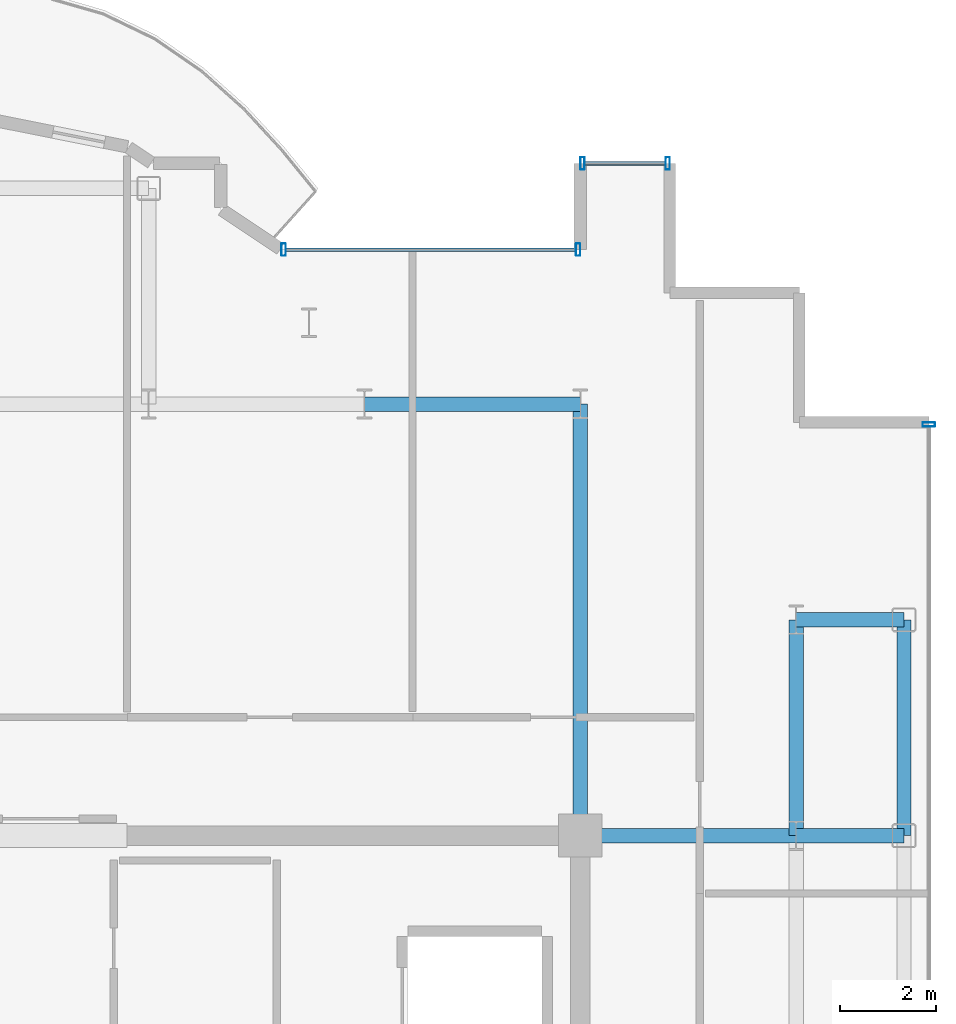
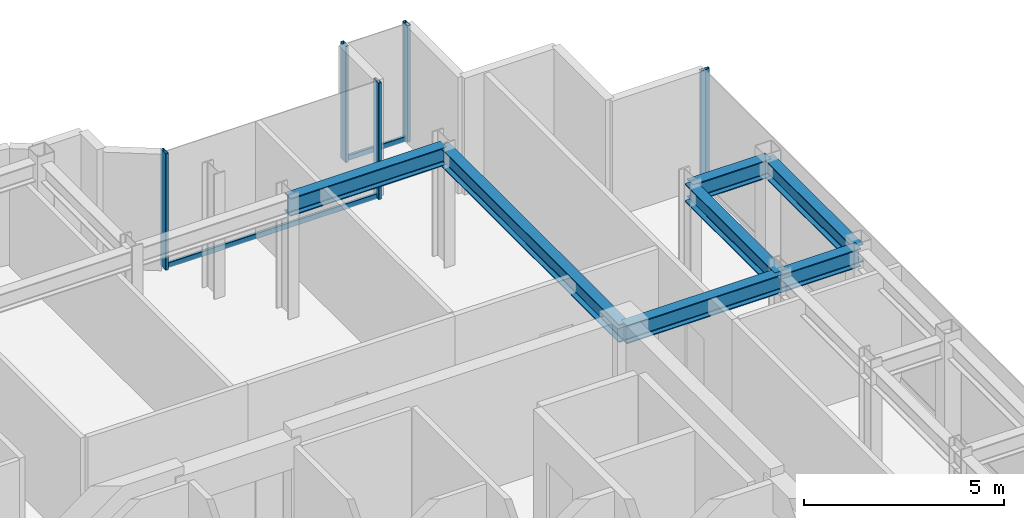
# One storey, part 11 of 18: 7 beams, 7 members, 3 elements without a shape of their own.
"""IFC4 building model written with IfcOpenShell, lengths in metres."""

from ifc_helpers import new_model, si_unit, direction, frame, origin, origin_2d, place, context, subcontext, project, spatial, hollow_rectangle, i_section, extrude, source, transform, mapped, material, layer, layer_set, material_profile, profile_set, type_object, element, aggregate, save


model = new_model("IFC4")

# Units and contexts
model_context = context("Model", 3, precision=1e-05, world=origin(), true_north=direction((0.0, 1.0)))
body_context = subcontext(model_context, "Body", "Model", "MODEL_VIEW")
ifc_project = project(units=[si_unit("LENGTHUNIT", "METRE"), si_unit("AREAUNIT", "SQUARE_METRE"), si_unit("VOLUMEUNIT", "CUBIC_METRE"), si_unit("PLANEANGLEUNIT", "RADIAN"), si_unit("MASSUNIT", "GRAM", prefix="KILO")], contexts=[model_context])

# Site, building, storey
site_placement = place(None, origin())
site = spatial("IfcSite", under=ifc_project, at=site_placement, CompositionType="ELEMENT")
building_placement = place(site_placement, origin())
building = spatial("IfcBuilding", under=site, at=building_placement, Name="Nefas-Gora Pilgrimage Tower", CompositionType="ELEMENT")
storey_placement = place(building_placement, frame((0.0, 0.0, 330.0)))
storey = spatial("IfcBuildingStorey", under=building, at=storey_placement, Name="L83", CompositionType="ELEMENT", Elevation=330.0)

# Beams
ifc_material_1 = material(Name="Steel S355", Category="steel")
ifc_material_profile_1 = material_profile(ifc_material_1, i_section(OverallWidth=0.300048828125, OverallDepth=0.550048828125, WebThickness=0.014892578125, FlangeThickness=0.029052734375, FilletRadius=0.027099609375, at=origin_2d()), Name="HEB 550")
ifc_profile_set_1 = profile_set([ifc_material_profile_1], Name="Steel S355")
beam_type_1 = type_object("IfcBeamType", Name="BM-SPN-HEB400", PredefinedType="SPANDREL", material=ifc_profile_set_1)
shared_shape_1 = source(origin(), body_context, "Body", "SweptSolid", [
    extrude(i_section(OverallWidth=0.300048828125, OverallDepth=0.550048828125, WebThickness=0.014892578125, FlangeThickness=0.029052734375, FilletRadius=0.027099609375, at=origin_2d()), origin(), (0.0, 0.0, 1.0), 4.5),
])
beam_1_placement = place(storey_placement, frame((18.0, 9.0, 3.27490234375), z_axis=(0.0, 1.0, 0.0), x_axis=(-1.0, 0.0, 0.0)))
element("IfcBeam", 1, at=beam_1_placement, inside=storey, type_object=beam_type_1, Name="L83 SP-04 beam", PredefinedType="SPANDREL", context=body_context, shape_type="MappedRepresentation", body=[
    mapped(shared_shape_1, transform((0.0, 0.0, 0.0), x_axis=(1.0, 0.0, 0.0), y_axis=(0.0, 1.0, 0.0), z_axis=(0.0, 0.0, 1.0), scale=1.0)),
])
ifc_material_profile_2 = material_profile(ifc_material_1, i_section(OverallWidth=0.300048828125, OverallDepth=0.550048828125, WebThickness=0.014892578125, FlangeThickness=0.029052734375, FilletRadius=0.027099609375, at=origin_2d()), Name="HEB 550")
ifc_profile_set_2 = profile_set([ifc_material_profile_2], Name="Steel S355")
beam_type_2 = type_object("IfcBeamType", Name="BM-GIR-HEB550", PredefinedType="BEAM", material=ifc_profile_set_2)
shared_shape_2 = source(origin(), body_context, "Body", "SweptSolid", [
    extrude(i_section(OverallWidth=0.300048828125, OverallDepth=0.550048828125, WebThickness=0.014892578125, FlangeThickness=0.029052734375, FilletRadius=0.027099609375, at=origin_2d()), origin(), (0.0, 0.0, 1.0), 9.0),
])
beam_2_placement = place(storey_placement, frame((11.25, 9.0, 3.27490234375), z_axis=(0.0, 1.0, 0.0), x_axis=(-1.0, 0.0, 0.0)))
element("IfcBeam", 2, at=beam_2_placement, inside=storey, type_object=beam_type_2, Name="L83 G-05 beam", PredefinedType="BEAM", context=body_context, shape_type="MappedRepresentation", body=[
    mapped(shared_shape_2, transform((0.0, 0.0, 0.0), x_axis=(1.0, 0.0, 0.0), y_axis=(0.0, 1.0, 0.0), z_axis=(0.0, 0.0, 1.0), scale=1.0)),
])
shared_shape_3 = source(origin(), body_context, "Body", "SweptSolid", [
    extrude(i_section(OverallWidth=0.300048828125, OverallDepth=0.550048828125, WebThickness=0.014892578125, FlangeThickness=0.029052734375, FilletRadius=0.027099609375, at=origin_2d()), origin(), (0.0, 0.0, 1.0), 4.5),
])
for number, where, z_axis, x_axis, name in (
    (3, (6.75, 18.0, 3.27490234375), (1.0, 0.0, 0.0), (0.0, 1.0, 0.0), "L83 G-05 beam"),
    (4, (11.25, 9.0, 3.27490234375), (1.0, 0.0, 0.0), (0.0, 1.0, 0.0), "L83 G-05 beam"),
    (5, (15.75, 9.0, 3.27490234375), (0.0, 1.0, 0.0), (-1.0, 0.0, 0.0), "L83 G-05 beam"),
):
    element("IfcBeam", number, at=place(storey_placement, frame(where, z_axis=z_axis, x_axis=x_axis)), inside=storey, type_object=beam_type_2, Name=name, PredefinedType="BEAM", context=body_context, shape_type="MappedRepresentation", body=[
        mapped(shared_shape_3, transform((0.0, 0.0, 0.0), x_axis=(1.0, 0.0, 0.0), y_axis=(0.0, 1.0, 0.0), z_axis=(0.0, 0.0, 1.0), scale=1.0)),
    ])
shared_shape_4 = source(origin(), body_context, "Body", "SweptSolid", [
    extrude(i_section(OverallWidth=0.300048828125, OverallDepth=0.550048828125, WebThickness=0.014892578125, FlangeThickness=0.029052734375, FilletRadius=0.027099609375, at=origin_2d()), origin(), (0.0, 0.0, 1.0), 2.25),
])
for number, where, z_axis, x_axis, name in (
    (6, (15.75, 9.0, 3.27490234375), (1.0, 0.0, 0.0), (0.0, 1.0, 0.0), "L83 G-05 beam"),
    (7, (15.75, 13.5, 3.27490234375), (1.0, 0.0, 0.0), (0.0, 1.0, 0.0), "L83 G-05 beam"),
):
    element("IfcBeam", number, at=place(storey_placement, frame(where, z_axis=z_axis, x_axis=x_axis)), inside=storey, type_object=beam_type_2, Name=name, PredefinedType="BEAM", context=body_context, shape_type="MappedRepresentation", body=[
        mapped(shared_shape_4, transform((0.0, 0.0, 0.0), x_axis=(1.0, 0.0, 0.0), y_axis=(0.0, 1.0, 0.0), z_axis=(0.0, 0.0, 1.0), scale=1.0)),
    ])

# Curtain wall, members
ifc_material_2 = material(Name="Dark ceramic-fritted solar-control aluminium-glass curtain wall", Category="aluminium")
ifc_layer_1 = layer(ifc_material_2, 0.219970703125)
ifc_layer_set_1 = layer_set([ifc_layer_1], Name="Dark ceramic-fritted solar-control aluminium-glass curtain wall")
curtain_wall_type_1 = type_object("IfcCurtainWallType", Name="CW-SYS-5", PredefinedType="NOTDEFINED", material=ifc_layer_set_1)
curtain_wall_1_placement = place(storey_placement, origin())
curtain_wall_1 = element("IfcCurtainWall", 8, at=curtain_wall_1_placement, inside=storey, type_object=curtain_wall_type_1, Name="L83 Unitised Curtain Wall CW5", PredefinedType="NOTDEFINED")
ifc_material_3 = material(Name="Anodised architectural aluminium", Category="aluminium")
ifc_material_profile_3 = material_profile(ifc_material_3, hollow_rectangle(XDim=0.090087890625, YDim=0.260009765625, WallThickness=0.006103515625, InnerFilletRadius=0.006103515625, OuterFilletRadius=0.011962890625, at=origin_2d()), Name="ALU MULLION 90x260")
ifc_profile_set_3 = profile_set([ifc_material_profile_3], Name="Anodised architectural aluminium")
member_type_1 = type_object("IfcMemberType", Name="CWM-MUL-5", PredefinedType="MULLION", material=ifc_profile_set_3)
shared_shape_5 = source(origin(), body_context, "Body", "SweptSolid", [
    extrude(hollow_rectangle(XDim=0.090087890625, YDim=0.260009765625, WallThickness=0.006103515625, InnerFilletRadius=0.006103515625, OuterFilletRadius=0.011962890625, at=origin_2d()), origin(), (0.0, 0.0, 1.0), 3.550048828125),
])
member_1_placement = place(storey_placement, frame((11.205078125, 21.219970703125, 0.0), z_axis=(0.0, 0.0, 1.0), x_axis=(-1.0, 0.0, 0.0)))
member_1 = element("IfcMember", 9, at=member_1_placement, type_object=member_type_1, Name="CW5 Mullion 1", PredefinedType="MULLION", context=body_context, shape_type="MappedRepresentation", body=[
    mapped(shared_shape_5, transform((0.0, 0.0, 0.0), x_axis=(1.0, 0.0, 0.0), y_axis=(0.0, 1.0, 0.0), z_axis=(0.0, 0.0, 1.0), scale=1.0)),
])
member_2_placement = place(storey_placement, frame((5.06298828125, 21.219970703125, 0.0), z_axis=(0.0, 0.0, 1.0), x_axis=(-1.0, 0.0, 0.0)))
member_2 = element("IfcMember", 10, at=member_2_placement, type_object=member_type_1, Name="CW5 Mullion 2", PredefinedType="MULLION", context=body_context, shape_type="MappedRepresentation", body=[
    mapped(shared_shape_5, transform((0.0, 0.0, 0.0), x_axis=(1.0, 0.0, 0.0), y_axis=(0.0, 1.0, 0.0), z_axis=(0.0, 0.0, 1.0), scale=1.0)),
])
ifc_material_profile_4 = material_profile(ifc_material_3, hollow_rectangle(XDim=0.080078125, YDim=0.159912109375, WallThickness=0.00439453125, InnerFilletRadius=0.00439453125, OuterFilletRadius=0.009033203125, at=origin_2d()), Name="ALU TRANSOM 80x160")
ifc_profile_set_4 = profile_set([ifc_material_profile_4], Name="Anodised architectural aluminium")
member_type_2 = type_object("IfcMemberType", Name="CWM-TRN-5", PredefinedType="USERDEFINED", material=ifc_profile_set_4)
shared_shape_6 = source(origin(), body_context, "Body", "SweptSolid", [
    extrude(hollow_rectangle(XDim=0.080078125, YDim=0.159912109375, WallThickness=0.00439453125, InnerFilletRadius=0.00439453125, OuterFilletRadius=0.009033203125, at=origin_2d()), origin(), (0.0, 0.0, 1.0), 6.052001953125),
])
member_3_placement = place(storey_placement, frame((11.159912109375, 21.219970703125, 0.050048828125), z_axis=(-1.0, 0.0, 0.0), x_axis=(0.0, -1.0, 0.0)))
member_3 = element("IfcMember", 11, at=member_3_placement, type_object=member_type_2, Name="CW5 Spandrel Transom", ObjectType="TRANSOM", PredefinedType="USERDEFINED", context=body_context, shape_type="MappedRepresentation", body=[
    mapped(shared_shape_6, transform((0.0, 0.0, 0.0), x_axis=(1.0, 0.0, 0.0), y_axis=(0.0, 1.0, 0.0), z_axis=(0.0, 0.0, 1.0), scale=1.0)),
])
aggregate(curtain_wall_1, [member_1, member_2, member_3])

# Curtain wall, member
ifc_layer_2 = layer(ifc_material_2, 0.219970703125)
ifc_layer_set_2 = layer_set([ifc_layer_2], Name="Dark ceramic-fritted solar-control aluminium-glass curtain wall")
curtain_wall_type_2 = type_object("IfcCurtainWallType", Name="CW-SYS-4", PredefinedType="NOTDEFINED", material=ifc_layer_set_2)
curtain_wall_2_placement = place(storey_placement, origin())
curtain_wall_2 = element("IfcCurtainWall", 12, at=curtain_wall_2_placement, inside=storey, type_object=curtain_wall_type_2, Name="L83 Unitised Curtain Wall CW4", PredefinedType="NOTDEFINED")
ifc_material_profile_5 = material_profile(ifc_material_3, hollow_rectangle(XDim=0.080078125, YDim=0.159912109375, WallThickness=0.00439453125, InnerFilletRadius=0.00439453125, OuterFilletRadius=0.009033203125, at=origin_2d()), Name="ALU TRANSOM 80x160")
ifc_profile_set_5 = profile_set([ifc_material_profile_5], Name="Anodised architectural aluminium")
member_type_3 = type_object("IfcMemberType", Name="CWM-TRN-4", PredefinedType="USERDEFINED", material=ifc_profile_set_5)
shared_shape_7 = source(origin(), body_context, "Body", "SweptSolid", [
    extrude(hollow_rectangle(XDim=0.080078125, YDim=0.159912109375, WallThickness=0.00439453125, InnerFilletRadius=0.00439453125, OuterFilletRadius=0.009033203125, at=origin_2d()), origin(), (0.0, 0.0, 1.0), 1.68994140625),
])
member_4_placement = place(storey_placement, frame((13.030029296875, 23.02001953125, 0.050048828125), z_axis=(-1.0, 0.0, 0.0), x_axis=(0.0, -1.0, 0.0)))
member_4 = element("IfcMember", 13, at=member_4_placement, type_object=member_type_3, Name="CW4 Spandrel Transom", ObjectType="TRANSOM", PredefinedType="USERDEFINED", context=body_context, shape_type="MappedRepresentation", body=[
    mapped(shared_shape_7, transform((0.0, 0.0, 0.0), x_axis=(1.0, 0.0, 0.0), y_axis=(0.0, 1.0, 0.0), z_axis=(0.0, 0.0, 1.0), scale=1.0)),
])

curtain_wall_3_placement = place(storey_placement, origin())
curtain_wall_3 = element("IfcCurtainWall", 14, at=curtain_wall_3_placement, inside=storey, type_object=curtain_wall_type_2, Name="L83 Unitised Curtain Wall CW4", PredefinedType="NOTDEFINED")
ifc_material_profile_6 = material_profile(ifc_material_3, hollow_rectangle(XDim=0.090087890625, YDim=0.260009765625, WallThickness=0.006103515625, InnerFilletRadius=0.006103515625, OuterFilletRadius=0.011962890625, at=origin_2d()), Name="ALU MULLION 90x260")
ifc_profile_set_6 = profile_set([ifc_material_profile_6], Name="Anodised architectural aluminium")
member_type_4 = type_object("IfcMemberType", Name="CWM-MUL-4", PredefinedType="MULLION", material=ifc_profile_set_6)
shared_shape_8 = source(origin(), body_context, "Body", "SweptSolid", [
    extrude(hollow_rectangle(XDim=0.090087890625, YDim=0.260009765625, WallThickness=0.006103515625, InnerFilletRadius=0.006103515625, OuterFilletRadius=0.011962890625, at=origin_2d()), origin(), (0.0, 0.0, 1.0), 3.550048828125),
])
member_5_placement = place(storey_placement, frame((18.52001953125, 17.574951171875, 0.0), z_axis=(0.0, 0.0, 1.0), x_axis=(0.0, 1.0, 0.0)))
member_5 = element("IfcMember", 15, at=member_5_placement, type_object=member_type_4, Name="CW4 Mullion 3", PredefinedType="MULLION", context=body_context, shape_type="MappedRepresentation", body=[
    mapped(shared_shape_8, transform((0.0, 0.0, 0.0), x_axis=(1.0, 0.0, 0.0), y_axis=(0.0, 1.0, 0.0), z_axis=(0.0, 0.0, 1.0), scale=1.0)),
])
aggregate(curtain_wall_3, [member_5])

# Member
member_6_placement = place(storey_placement, frame((13.074951171875, 23.02001953125, 0.0), z_axis=(0.0, 0.0, 1.0), x_axis=(-1.0, 0.0, 0.0)))
member_6 = element("IfcMember", 16, at=member_6_placement, type_object=member_type_4, Name="CW4 Mullion 1", PredefinedType="MULLION", context=body_context, shape_type="MappedRepresentation", body=[
    mapped(shared_shape_8, transform((0.0, 0.0, 0.0), x_axis=(1.0, 0.0, 0.0), y_axis=(0.0, 1.0, 0.0), z_axis=(0.0, 0.0, 1.0), scale=1.0)),
])

member_7_placement = place(storey_placement, frame((11.294921875, 23.02001953125, 0.0), z_axis=(0.0, 0.0, 1.0), x_axis=(-1.0, 0.0, 0.0)))
member_7 = element("IfcMember", 17, at=member_7_placement, type_object=member_type_4, Name="CW4 Mullion 2", PredefinedType="MULLION", context=body_context, shape_type="MappedRepresentation", body=[
    mapped(shared_shape_8, transform((0.0, 0.0, 0.0), x_axis=(1.0, 0.0, 0.0), y_axis=(0.0, 1.0, 0.0), z_axis=(0.0, 0.0, 1.0), scale=1.0)),
])

aggregate(curtain_wall_2, [member_6, member_7, member_4])

save(model, "model.ifc")
